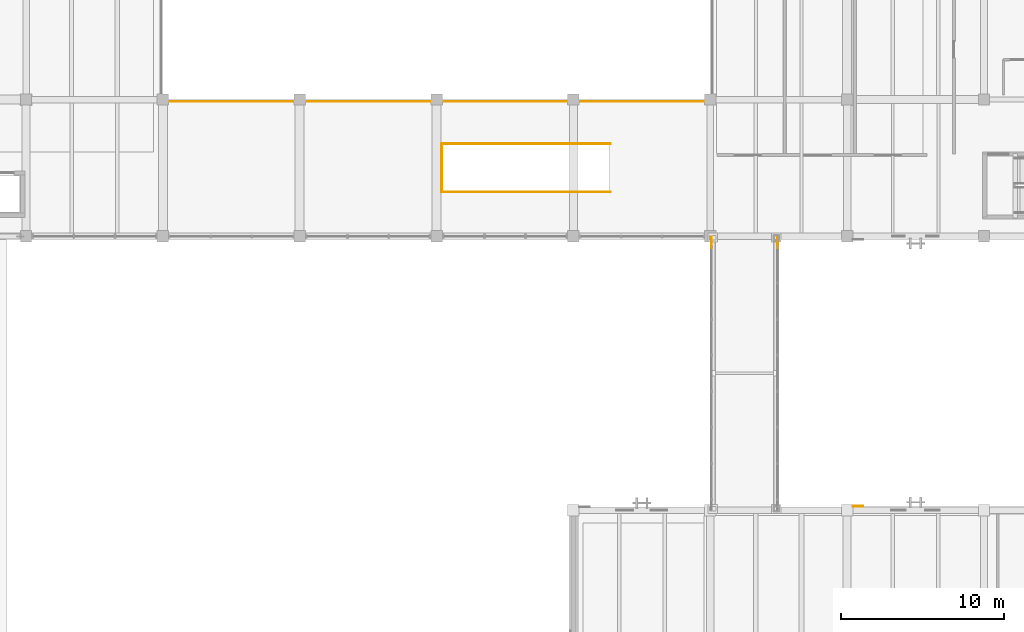
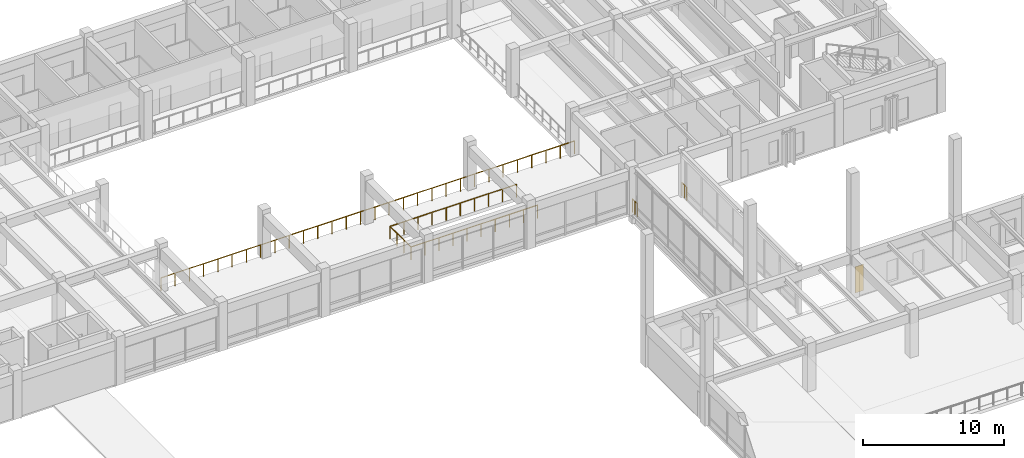
# One storey, part 128 of 132: 6 railings, 1 covering.
"""IFC4 building model written with IfcOpenShell, lengths in metres."""

from ifc_helpers import new_model, si_unit, direction, frame, origin, origin_2d, place, context, subcontext, project, spatial, polyline, circle, outline, extrude, material, layer, layer_set, type_object, element, save


model = new_model("IFC4")

# Units and contexts
model_context = context("Model", 3, precision=1e-05, world=origin(), true_north=direction((0.0, 1.0)))
body_context = subcontext(model_context, "Body", "Model", "MODEL_VIEW")
ifc_project = project(units=[si_unit("LENGTHUNIT", "METRE"), si_unit("AREAUNIT", "SQUARE_METRE"), si_unit("VOLUMEUNIT", "CUBIC_METRE"), si_unit("PLANEANGLEUNIT", "RADIAN"), si_unit("MASSUNIT", "GRAM", prefix="KILO")], contexts=[model_context])

# Site, building, storey
site_placement = place(None, origin())
site = spatial("IfcSite", under=ifc_project, at=site_placement, CompositionType="ELEMENT")
building_placement = place(site_placement, origin())
building = spatial("IfcBuilding", under=site, at=building_placement, Name="Cumbredor Promenade Congress Hotel", CompositionType="ELEMENT")
storey_placement = place(building_placement, frame((0.0, 0.0, 7.56005859375)))
storey = spatial("IfcBuildingStorey", under=building, at=storey_placement, Name="L02", CompositionType="ELEMENT", Elevation=7.56005859375)

# Covering
ifc_material_1 = material(Name="Precast concrete C40/50", Category="concrete")
ifc_layer = layer(ifc_material_1, 0.044921875, Name="Precast concrete C40/50", Category="concrete")
ifc_layer_set = layer_set([ifc_layer], Name="Precast concrete C40/50")
covering_type = type_object("IfcCoveringType", Name="Board-Formed Architectural Cladding Panel 45mm", PredefinedType="CLADDING", material=ifc_layer_set)
covering_placement = place(storey_placement, origin())
element("IfcCovering", 1, at=covering_placement, inside=storey, type_object=covering_type, Name="L02 Facade Stone Cladding Pier 104", PredefinedType="CLADDING", context=body_context, shape_type="SweptSolid", body=[
    extrude(outline(polyline([(159.950927734375, 67.41259765625), (160.60107421875, 67.41259765625), (160.60107421875, 67.45751953125), (159.950927734375, 67.45751953125), (159.950927734375, 67.41259765625)])), origin(), (0.0, 0.0, 1.0), 2.25),
])

# Railings
ifc_material_2 = material(Name="Brushed stainless steel", Category="steel")
railing_type_1 = type_object("IfcRailingType", Name="Interior Void & Stair Guardrail GR-1100", PredefinedType="GUARDRAIL", material=ifc_material_2)
railing_1_placement = place(storey_placement, frame((117.47998046875, 92.280029296875, 0.0)))
element("IfcRailing", 2, at=railing_1_placement, inside=storey, type_object=railing_type_1, Name="L02 v4_forum_atrium Void Perimeter Guardrail 1", PredefinedType="GUARDRAIL", context=body_context, shape_type="SweptSolid", body=[
    extrude(circle(Radius=0.02392578125, at=origin_2d()), frame((0.0, 0.0, 1.09619140625), z_axis=(1.0, 0.0, 0.0), x_axis=(0.0, 1.0, 0.0)), (0.0, 0.0, 1.0), 33.840087890625),
    extrude(circle(Radius=0.02099609375, at=origin_2d()), origin(), (0.0, 0.0, 1.0), 1.072021484375),
    extrude(circle(Radius=0.02099609375, at=origin_2d()), frame((1.1669921875, 0.0, 0.0)), (0.0, 0.0, 1.0), 1.072021484375),
    extrude(circle(Radius=0.02099609375, at=origin_2d()), frame((2.333740234375, 0.0, 0.0)), (0.0, 0.0, 1.0), 1.072021484375),
    extrude(circle(Radius=0.02099609375, at=origin_2d()), frame((3.500732421875, 0.0, 0.0)), (0.0, 0.0, 1.0), 1.072021484375),
    extrude(circle(Radius=0.02099609375, at=origin_2d()), frame((4.66748046875, 0.0, 0.0)), (0.0, 0.0, 1.0), 1.072021484375),
    extrude(circle(Radius=0.02099609375, at=origin_2d()), frame((5.83447265625, 0.0, 0.0)), (0.0, 0.0, 1.0), 1.072021484375),
    extrude(circle(Radius=0.02099609375, at=origin_2d()), frame((7.00146484375, 0.0, 0.0)), (0.0, 0.0, 1.0), 1.072021484375),
    extrude(circle(Radius=0.02099609375, at=origin_2d()), frame((8.168212890625, 0.0, 0.0)), (0.0, 0.0, 1.0), 1.072021484375),
    extrude(circle(Radius=0.02099609375, at=origin_2d()), frame((9.335205078125, 0.0, 0.0)), (0.0, 0.0, 1.0), 1.072021484375),
    extrude(circle(Radius=0.02099609375, at=origin_2d()), frame((10.502197265625, 0.0, 0.0)), (0.0, 0.0, 1.0), 1.072021484375),
    extrude(circle(Radius=0.02099609375, at=origin_2d()), frame((11.6689453125, 0.0, 0.0)), (0.0, 0.0, 1.0), 1.072021484375),
    extrude(circle(Radius=0.02099609375, at=origin_2d()), frame((12.8359375, 0.0, 0.0)), (0.0, 0.0, 1.0), 1.072021484375),
    extrude(circle(Radius=0.02099609375, at=origin_2d()), frame((14.002685546875, 0.0, 0.0)), (0.0, 0.0, 1.0), 1.072021484375),
    extrude(circle(Radius=0.02099609375, at=origin_2d()), frame((15.169677734375, 0.0, 0.0)), (0.0, 0.0, 1.0), 1.072021484375),
    extrude(circle(Radius=0.02099609375, at=origin_2d()), frame((16.336669921875, 0.0, 0.0)), (0.0, 0.0, 1.0), 1.072021484375),
    extrude(circle(Radius=0.02099609375, at=origin_2d()), frame((17.50341796875, 0.0, 0.0)), (0.0, 0.0, 1.0), 1.072021484375),
    extrude(circle(Radius=0.02099609375, at=origin_2d()), frame((18.67041015625, 0.0, 0.0)), (0.0, 0.0, 1.0), 1.072021484375),
    extrude(circle(Radius=0.02099609375, at=origin_2d()), frame((19.83740234375, 0.0, 0.0)), (0.0, 0.0, 1.0), 1.072021484375),
    extrude(circle(Radius=0.02099609375, at=origin_2d()), frame((21.004150390625, 0.0, 0.0)), (0.0, 0.0, 1.0), 1.072021484375),
    extrude(circle(Radius=0.02099609375, at=origin_2d()), frame((22.171142578125, 0.0, 0.0)), (0.0, 0.0, 1.0), 1.072021484375),
    extrude(circle(Radius=0.02099609375, at=origin_2d()), frame((23.337890625, 0.0, 0.0)), (0.0, 0.0, 1.0), 1.072021484375),
    extrude(circle(Radius=0.02099609375, at=origin_2d()), frame((24.5048828125, 0.0, 0.0)), (0.0, 0.0, 1.0), 1.072021484375),
    extrude(circle(Radius=0.02099609375, at=origin_2d()), frame((25.671875, 0.0, 0.0)), (0.0, 0.0, 1.0), 1.072021484375),
    extrude(circle(Radius=0.02099609375, at=origin_2d()), frame((26.838623046875, 0.0, 0.0)), (0.0, 0.0, 1.0), 1.072021484375),
    extrude(circle(Radius=0.02099609375, at=origin_2d()), frame((28.005615234375, 0.0, 0.0)), (0.0, 0.0, 1.0), 1.072021484375),
    extrude(circle(Radius=0.02099609375, at=origin_2d()), frame((29.172607421875, 0.0, 0.0)), (0.0, 0.0, 1.0), 1.072021484375),
    extrude(circle(Radius=0.02099609375, at=origin_2d()), frame((30.33935546875, 0.0, 0.0)), (0.0, 0.0, 1.0), 1.072021484375),
    extrude(circle(Radius=0.02099609375, at=origin_2d()), frame((31.50634765625, 0.0, 0.0)), (0.0, 0.0, 1.0), 1.072021484375),
    extrude(circle(Radius=0.02099609375, at=origin_2d()), frame((32.673095703125, 0.0, 0.0)), (0.0, 0.0, 1.0), 1.072021484375),
    extrude(circle(Radius=0.02099609375, at=origin_2d()), frame((33.840087890625, 0.0, 0.0)), (0.0, 0.0, 1.0), 1.072021484375),
])
for number, where, name in (
    (3, (134.719970703125, 86.719970703125, 0.0), "L02 vm_06_well Void Perimeter Guardrail 1"),
    (4, (134.719970703125, 89.679931640625, 0.0), "L02 vm_06_well Void Perimeter Guardrail 2"),
):
    element("IfcRailing", number, at=place(storey_placement, frame(where)), inside=storey, type_object=railing_type_1, Name=name, PredefinedType="GUARDRAIL", context=body_context, shape_type="SweptSolid", body=[
        extrude(circle(Radius=0.02392578125, at=origin_2d()), frame((0.0, 0.0, 1.09619140625), z_axis=(1.0, 0.0, 0.0), x_axis=(0.0, 1.0, 0.0)), (0.0, 0.0, 1.0), 10.360107421875),
        extrude(circle(Radius=0.02099609375, at=origin_2d()), origin(), (0.0, 0.0, 1.0), 1.072021484375),
        extrude(circle(Radius=0.02099609375, at=origin_2d()), frame((1.151123046875, 0.0, 0.0)), (0.0, 0.0, 1.0), 1.072021484375),
        extrude(circle(Radius=0.02099609375, at=origin_2d()), frame((2.30224609375, 0.0, 0.0)), (0.0, 0.0, 1.0), 1.072021484375),
        extrude(circle(Radius=0.02099609375, at=origin_2d()), frame((3.453369140625, 0.0, 0.0)), (0.0, 0.0, 1.0), 1.072021484375),
        extrude(circle(Radius=0.02099609375, at=origin_2d()), frame((4.6044921875, 0.0, 0.0)), (0.0, 0.0, 1.0), 1.072021484375),
        extrude(circle(Radius=0.02099609375, at=origin_2d()), frame((5.755615234375, 0.0, 0.0)), (0.0, 0.0, 1.0), 1.072021484375),
        extrude(circle(Radius=0.02099609375, at=origin_2d()), frame((6.90673828125, 0.0, 0.0)), (0.0, 0.0, 1.0), 1.072021484375),
        extrude(circle(Radius=0.02099609375, at=origin_2d()), frame((8.057861328125, 0.0, 0.0)), (0.0, 0.0, 1.0), 1.072021484375),
        extrude(circle(Radius=0.02099609375, at=origin_2d()), frame((9.208984375, 0.0, 0.0)), (0.0, 0.0, 1.0), 1.072021484375),
        extrude(circle(Radius=0.02099609375, at=origin_2d()), frame((10.360107421875, 0.0, 0.0)), (0.0, 0.0, 1.0), 1.072021484375),
    ])
railing_2_placement = place(storey_placement, frame((134.719970703125, 86.719970703125, 0.0)))
element("IfcRailing", 5, at=railing_2_placement, inside=storey, type_object=railing_type_1, Name="L02 vm_06_well Void Perimeter Guardrail 3", PredefinedType="GUARDRAIL", context=body_context, shape_type="SweptSolid", body=[
    extrude(circle(Radius=0.02392578125, at=origin_2d()), frame((0.0, 0.0, 1.09619140625), z_axis=(0.0, 1.0, 0.0), x_axis=(-1.0, 0.0, 0.0)), (0.0, 0.0, 1.0), 2.9599609375),
    extrude(circle(Radius=0.02099609375, at=origin_2d()), origin(), (0.0, 0.0, 1.0), 1.072021484375),
    extrude(circle(Radius=0.02099609375, at=origin_2d()), frame((0.0, 0.986572265625, 0.0)), (0.0, 0.0, 1.0), 1.072021484375),
    extrude(circle(Radius=0.02099609375, at=origin_2d()), frame((0.0, 1.973388671875, 0.0)), (0.0, 0.0, 1.0), 1.072021484375),
    extrude(circle(Radius=0.02099609375, at=origin_2d()), frame((0.0, 2.9599609375, 0.0)), (0.0, 0.0, 1.0), 1.072021484375),
])
railing_type_2 = type_object("IfcRailingType", Name="Sky Garden Glass-and-Steel Balustrade BAL-1150", PredefinedType="BALUSTRADE", material=ifc_material_2)
for number, where, name in (
    (6, (151.280029296875, 83.300048828125, 0.0), "L02 East Ballroom-to-Forum Glazed Bridge End Guardrail NW"),
    (7, (155.320068359375, 83.300048828125, 0.0), "L02 East Ballroom-to-Forum Glazed Bridge End Guardrail NE"),
):
    element("IfcRailing", number, at=place(storey_placement, frame(where)), inside=storey, type_object=railing_type_2, Name=name, PredefinedType="BALUSTRADE", context=body_context, shape_type="SweptSolid", body=[
        extrude(circle(Radius=0.02392578125, at=origin_2d()), frame((0.0, 0.0, 1.1259765625), z_axis=(0.0, 1.0, 0.0), x_axis=(-1.0, 0.0, 0.0)), (0.0, 0.0, 1.0), 0.669921875),
        extrude(circle(Radius=0.02099609375, at=origin_2d()), origin(), (0.0, 0.0, 1.0), 1.101806640625),
        extrude(circle(Radius=0.02099609375, at=origin_2d()), frame((0.0, 0.3349609375, 0.0)), (0.0, 0.0, 1.0), 1.101806640625),
        extrude(circle(Radius=0.02099609375, at=origin_2d()), frame((0.0, 0.669921875, 0.0)), (0.0, 0.0, 1.0), 1.101806640625),
    ])

save(model, "model.ifc")
